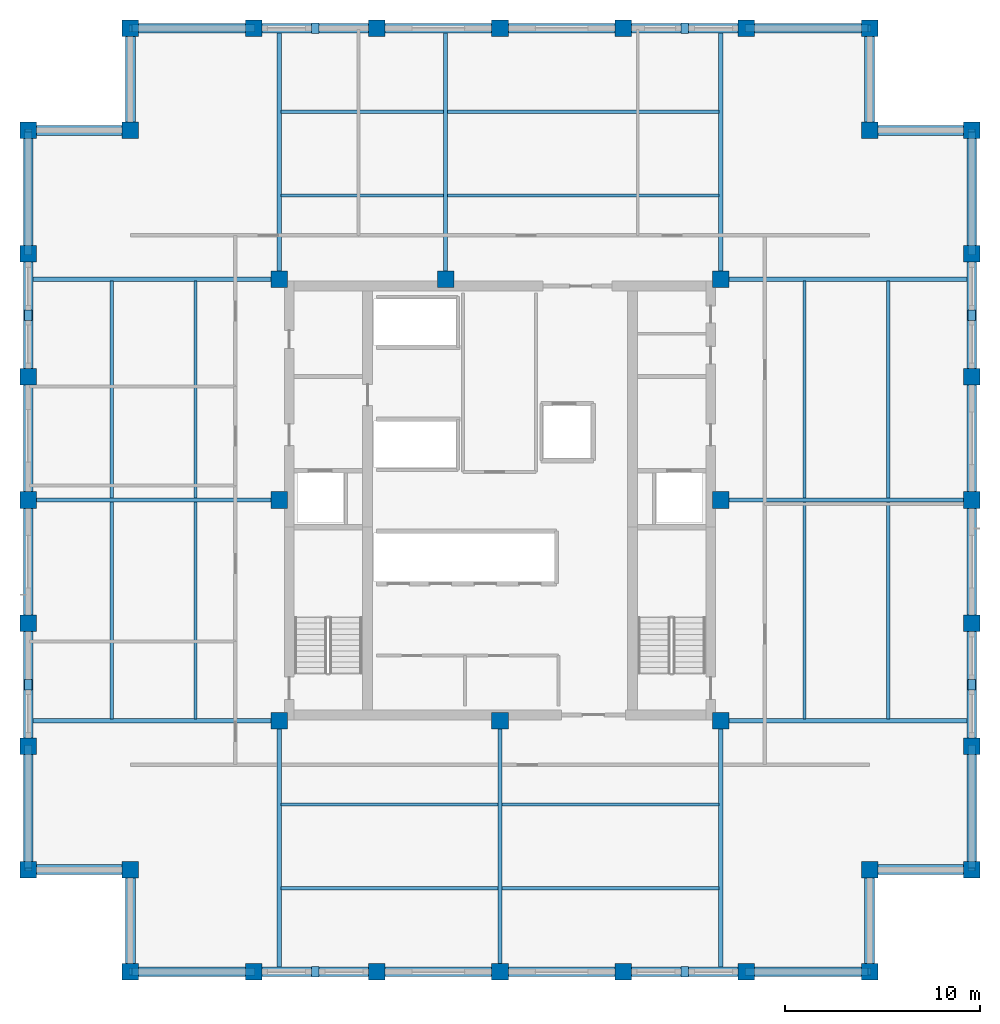
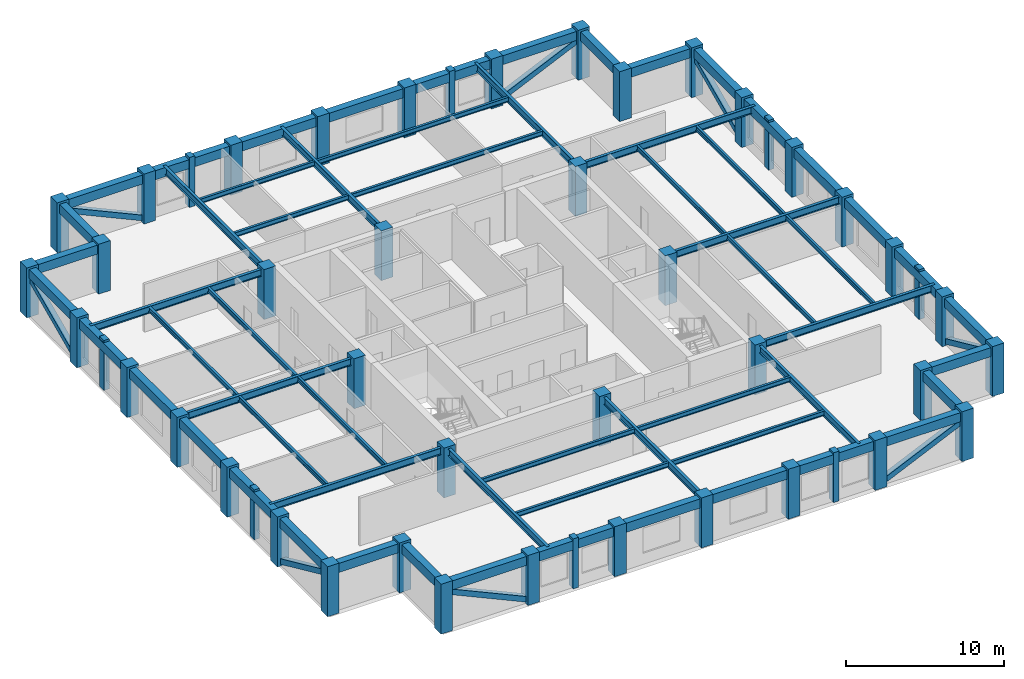
# One storey, part 1 of 9: 60 beams, 40 columns, 16 members.
"""IFC4 building model written with IfcOpenShell, lengths in metres."""

from ifc_helpers import new_model, si_unit, direction, frame, origin, origin_2d, place, context, subcontext, project, spatial, rectangle, hollow_rectangle, i_section, extrude, material, material_profile, profile_set, type_object, element, save


model = new_model("IFC4")

# Units and contexts
model_context = context("Model", 3, precision=1e-05, world=origin(), true_north=direction((0.0, 1.0)))
body_context = subcontext(model_context, "Body", "Model", "MODEL_VIEW")
ifc_project = project(units=[si_unit("LENGTHUNIT", "METRE"), si_unit("AREAUNIT", "SQUARE_METRE"), si_unit("VOLUMEUNIT", "CUBIC_METRE"), si_unit("PLANEANGLEUNIT", "RADIAN"), si_unit("MASSUNIT", "GRAM", prefix="KILO")], contexts=[model_context])

# Site, building, storey
site_placement = place(None, origin())
site = spatial("IfcSite", under=ifc_project, at=site_placement, CompositionType="ELEMENT")
building_placement = place(site_placement, origin())
building = spatial("IfcBuilding", under=site, at=building_placement, Name="Nhamokura Convention Tower", CompositionType="ELEMENT")
storey_placement = place(building_placement, frame((0.0, 0.0, 190.75)))
storey = spatial("IfcBuildingStorey", under=building, at=storey_placement, Name="L46", CompositionType="ELEMENT", Elevation=190.75)

# Columns
ifc_material_1 = material(Name="Concrete C50/60", Category="concrete")
ifc_material_profile_1 = material_profile(ifc_material_1, rectangle(XDim=0.85009765625, YDim=0.85009765625, at=origin_2d()))
ifc_profile_set_1 = profile_set([ifc_material_profile_1], Name="Concrete C50/60")
column_type = type_object("IfcColumnType", Name="TubeColumn_Z3_850", PredefinedType="COLUMN", material=ifc_profile_set_1)
for number, where, z_axis, x_axis, name in (
    (1, (20.64990234375, 20.64990234375, 0.0), (0.0, 0.0, 1.0), (1.0, 0.0, 0.0), "L46 Core Column CC-SW"),
    (2, (32.0, 20.64990234375, 0.0), (0.0, 0.0, 1.0), (1.0, 0.0, 0.0), "L46 Core Column CC-S"),
    (3, (43.35009765625, 20.64990234375, 0.0), (0.0, 0.0, 1.0), (1.0, 0.0, 0.0), "L46 Core Column CC-SE"),
    (4, (43.35009765625, 32.0, 0.0), (0.0, 0.0, 1.0), (1.0, 0.0, 0.0), "L46 Core Column CC-E"),
    (5, (43.35009765625, 43.35009765625, 0.0), (0.0, 0.0, 1.0), (1.0, 0.0, 0.0), "L46 Core Column CC-NE"),
    (6, (29.199951171875, 43.35009765625, 0.0), (0.0, 0.0, 1.0), (1.0, 0.0, 0.0), "L46 Core Column CC-N"),
    (7, (20.64990234375, 43.35009765625, 0.0), (0.0, 0.0, 1.0), (1.0, 0.0, 0.0), "L46 Core Column CC-NW"),
    (8, (20.64990234375, 32.0, 0.0), (0.0, 0.0, 1.0), (1.0, 0.0, 0.0), "L46 Core Column CC-W"),
    (9, (13.0, 7.75, 0.0), (0.0, 0.0, 1.0), (1.0, 0.0, 0.0), "L46 Perimeter Tube Column SW1"),
    (10, (13.0, 13.0, 0.0), (0.0, 0.0, 1.0), (1.0, 0.0, 0.0), "L46 Perimeter Tube Column SW0"),
    (11, (7.75, 13.0, 0.0), (0.0, 0.0, 1.0), (1.0, 0.0, 0.0), "L46 Perimeter Tube Column SW2"),
    (12, (51.0, 7.75, 0.0), (0.0, 0.0, 1.0), (1.0, 0.0, 0.0), "L46 Perimeter Tube Column SE1"),
    (13, (51.0, 13.0, 0.0), (0.0, 0.0, 1.0), (1.0, 0.0, 0.0), "L46 Perimeter Tube Column SE0"),
    (14, (56.25, 13.0, 0.0), (0.0, 0.0, 1.0), (1.0, 0.0, 0.0), "L46 Perimeter Tube Column SE2"),
    (15, (56.25, 51.0, 0.0), (0.0, 0.0, 1.0), (1.0, 0.0, 0.0), "L46 Perimeter Tube Column NE1"),
    (16, (51.0, 51.0, 0.0), (0.0, 0.0, 1.0), (1.0, 0.0, 0.0), "L46 Perimeter Tube Column NE0"),
    (17, (51.0, 56.25, 0.0), (0.0, 0.0, 1.0), (1.0, 0.0, 0.0), "L46 Perimeter Tube Column NE2"),
    (18, (13.0, 56.25, 0.0), (0.0, 0.0, 1.0), (1.0, 0.0, 0.0), "L46 Perimeter Tube Column NW1"),
    (19, (13.0, 51.0, 0.0), (0.0, 0.0, 1.0), (1.0, 0.0, 0.0), "L46 Perimeter Tube Column NW0"),
    (20, (7.75, 51.0, 0.0), (0.0, 0.0, 1.0), (1.0, 0.0, 0.0), "L46 Perimeter Tube Column NW2"),
    (21, (19.333251953125, 7.75, 0.0), (0.0, 0.0, 1.0), (1.0, 0.0, 0.0), "L46 Perimeter Tube Column S1"),
    (22, (19.333251953125, 56.25, 0.0), (0.0, 0.0, 1.0), (1.0, 0.0, 0.0), "L46 Perimeter Tube Column N1"),
    (23, (7.75, 19.333251953125, 0.0), (0.0, 0.0, 1.0), (1.0, 0.0, 0.0), "L46 Perimeter Tube Column W1"),
    (24, (56.25, 19.333251953125, 0.0), (0.0, 0.0, 1.0), (1.0, 0.0, 0.0), "L46 Perimeter Tube Column E1"),
    (25, (25.666748046875, 7.75, 0.0), (0.0, 0.0, 1.0), (1.0, 0.0, 0.0), "L46 Perimeter Tube Column S2"),
    (26, (25.666748046875, 56.25, 0.0), (0.0, 0.0, 1.0), (1.0, 0.0, 0.0), "L46 Perimeter Tube Column N2"),
    (27, (7.75, 25.666748046875, 0.0), (0.0, 0.0, 1.0), (1.0, 0.0, 0.0), "L46 Perimeter Tube Column W2"),
    (28, (56.25, 25.666748046875, 0.0), (0.0, 0.0, 1.0), (1.0, 0.0, 0.0), "L46 Perimeter Tube Column E2"),
    (29, (32.0, 7.75, 0.0), (0.0, 0.0, 1.0), (1.0, 0.0, 0.0), "L46 Perimeter Tube Column S3"),
    (30, (32.0, 56.25, 0.0), (0.0, 0.0, 1.0), (1.0, 0.0, 0.0), "L46 Perimeter Tube Column N3"),
    (31, (7.75, 32.0, 0.0), (0.0, 0.0, 1.0), (1.0, 0.0, 0.0), "L46 Perimeter Tube Column W3"),
    (32, (56.25, 32.0, 0.0), (0.0, 0.0, 1.0), (1.0, 0.0, 0.0), "L46 Perimeter Tube Column E3"),
    (33, (38.333251953125, 7.75, 0.0), (0.0, 0.0, 1.0), (1.0, 0.0, 0.0), "L46 Perimeter Tube Column S4"),
    (34, (38.333251953125, 56.25, 0.0), (0.0, 0.0, 1.0), (1.0, 0.0, 0.0), "L46 Perimeter Tube Column N4"),
    (35, (7.75, 38.333251953125, 0.0), (0.0, 0.0, 1.0), (1.0, 0.0, 0.0), "L46 Perimeter Tube Column W4"),
    (36, (56.25, 38.333251953125, 0.0), (0.0, 0.0, 1.0), (1.0, 0.0, 0.0), "L46 Perimeter Tube Column E4"),
    (37, (44.666748046875, 7.75, 0.0), (0.0, 0.0, 1.0), (1.0, 0.0, 0.0), "L46 Perimeter Tube Column S5"),
    (38, (44.666748046875, 56.25, 0.0), (0.0, 0.0, 1.0), (1.0, 0.0, 0.0), "L46 Perimeter Tube Column N5"),
    (39, (7.75, 44.666748046875, 0.0), (0.0, 0.0, 1.0), (1.0, 0.0, 0.0), "L46 Perimeter Tube Column W5"),
    (40, (56.25, 44.666748046875, 0.0), (0.0, 0.0, 1.0), (1.0, 0.0, 0.0), "L46 Perimeter Tube Column E5"),
):
    element("IfcColumn", number, at=place(storey_placement, frame(where, z_axis=z_axis, x_axis=x_axis)), inside=storey, type_object=column_type, Name=name, PredefinedType="COLUMN", context=body_context, shape_type="SweptSolid", body=[
        extrude(rectangle(XDim=0.85009765625, YDim=0.85009765625, at=origin_2d()), origin(), (0.0, 0.0, 1.0), 3.85009765625),
    ])

# Members
ifc_material_2 = material(Name="Bronze-pigmented precast concrete C45/55", Category="concrete")
ifc_material_profile_2 = material_profile(ifc_material_2, rectangle(XDim=0.39990234375, YDim=0.550048828125, at=origin_2d()))
ifc_profile_set_2 = profile_set([ifc_material_profile_2], Name="Bronze-pigmented precast concrete C45/55")
member_type_1 = type_object("IfcMemberType", Name="BronzePilaster_550", PredefinedType="USERDEFINED", material=ifc_profile_set_2)
for number, where, z_axis, x_axis, name in (
    (41, (22.5, 7.75, 0.0), (0.0, 0.0, 1.0), (1.0, 0.0, 0.0), "L46 Engaged Frame Pilaster SOUTH 1"),
    (42, (41.5, 7.75, 0.0), (0.0, 0.0, 1.0), (1.0, 0.0, 0.0), "L46 Engaged Frame Pilaster SOUTH 4"),
    (43, (22.5, 56.25, 0.0), (0.0, 0.0, 1.0), (1.0, 0.0, 0.0), "L46 Engaged Frame Pilaster NORTH 1"),
    (44, (41.5, 56.25, 0.0), (0.0, 0.0, 1.0), (1.0, 0.0, 0.0), "L46 Engaged Frame Pilaster NORTH 4"),
    (45, (7.75, 22.5, 0.0), (0.0, 0.0, 1.0), (1.0, 0.0, 0.0), "L46 Engaged Frame Pilaster WEST 1"),
    (46, (7.75, 41.5, 0.0), (0.0, 0.0, 1.0), (1.0, 0.0, 0.0), "L46 Engaged Frame Pilaster WEST 4"),
    (47, (56.25, 22.5, 0.0), (0.0, 0.0, 1.0), (1.0, 0.0, 0.0), "L46 Engaged Frame Pilaster EAST 1"),
    (48, (56.25, 41.5, 0.0), (0.0, 0.0, 1.0), (1.0, 0.0, 0.0), "L46 Engaged Frame Pilaster EAST 4"),
):
    element("IfcMember", number, at=place(storey_placement, frame(where, z_axis=z_axis, x_axis=x_axis)), inside=storey, type_object=member_type_1, Name=name, ObjectType="PILASTER_TRIM", PredefinedType="USERDEFINED", context=body_context, shape_type="SweptSolid", body=[
        extrude(rectangle(XDim=0.39990234375, YDim=0.550048828125, at=origin_2d()), origin(), (0.0, 0.0, 1.0), 3.85009765625),
    ])

# Beams
ifc_material_3 = material(Name="Steel ASTM A992 Gr 50", Category="steel")
ifc_material_profile_3 = material_profile(ifc_material_3, i_section(OverallWidth=0.172119140625, OverallDepth=0.35791015625, WebThickness=0.0078125, FlangeThickness=0.01318359375, at=origin_2d()))
ifc_profile_set_3 = profile_set([ifc_material_profile_3], Name="Steel ASTM A992 Gr 50")
beam_type_1 = type_object("IfcBeamType", Name="FloorJoist_W360X57", PredefinedType="JOIST", material=ifc_profile_set_3)
for number, where, z_axis, x_axis, name in (
    (49, (20.75341796875, 12.050048828125, 3.506103515625), (1.0, 0.0, 0.0), (0.0, 1.0, 0.0), "L46 Composite Floor Joist S1A"),
    (50, (32.103515625, 12.050048828125, 3.506103515625), (1.0, 0.0, 0.0), (0.0, 1.0, 0.0), "L46 Composite Floor Joist S1B"),
    (51, (20.75341796875, 16.35009765625, 3.506103515625), (1.0, 0.0, 0.0), (0.0, 1.0, 0.0), "L46 Composite Floor Joist S2A"),
    (52, (32.103515625, 16.35009765625, 3.506103515625), (1.0, 0.0, 0.0), (0.0, 1.0, 0.0), "L46 Composite Floor Joist S2B"),
):
    element("IfcBeam", number, at=place(storey_placement, frame(where, z_axis=z_axis, x_axis=x_axis)), inside=storey, type_object=beam_type_1, Name=name, PredefinedType="JOIST", context=body_context, shape_type="SweptSolid", body=[
        extrude(i_section(OverallWidth=0.172119140625, OverallDepth=0.35791015625, WebThickness=0.0078125, FlangeThickness=0.01318359375, at=origin_2d()), origin(), (0.0, 0.0, 1.0), 11.14306640625),
    ])
beam_1_placement = place(storey_placement, frame((20.75341796875, 47.64990234375, 3.506103515625), z_axis=(1.0, 0.0, 0.0), x_axis=(0.0, 1.0, 0.0)))
element("IfcBeam", 53, at=beam_1_placement, inside=storey, type_object=beam_type_1, Name="L46 Composite Floor Joist N1A", PredefinedType="JOIST", context=body_context, shape_type="SweptSolid", body=[
    extrude(i_section(OverallWidth=0.172119140625, OverallDepth=0.35791015625, WebThickness=0.0078125, FlangeThickness=0.01318359375, at=origin_2d()), origin(), (0.0, 0.0, 1.0), 8.343017578125),
])
beam_2_placement = place(storey_placement, frame((29.303466796875, 47.64990234375, 3.506103515625), z_axis=(1.0, 0.0, 0.0), x_axis=(0.0, 1.0, 0.0)))
element("IfcBeam", 54, at=beam_2_placement, inside=storey, type_object=beam_type_1, Name="L46 Composite Floor Joist N1B", PredefinedType="JOIST", context=body_context, shape_type="SweptSolid", body=[
    extrude(i_section(OverallWidth=0.172119140625, OverallDepth=0.35791015625, WebThickness=0.0078125, FlangeThickness=0.01318359375, at=origin_2d()), origin(), (0.0, 0.0, 1.0), 13.943115234375),
])
beam_3_placement = place(storey_placement, frame((20.75341796875, 51.949951171875, 3.506103515625), z_axis=(1.0, 0.0, 0.0), x_axis=(0.0, 1.0, 0.0)))
element("IfcBeam", 55, at=beam_3_placement, inside=storey, type_object=beam_type_1, Name="L46 Composite Floor Joist N2A", PredefinedType="JOIST", context=body_context, shape_type="SweptSolid", body=[
    extrude(i_section(OverallWidth=0.172119140625, OverallDepth=0.35791015625, WebThickness=0.0078125, FlangeThickness=0.01318359375, at=origin_2d()), origin(), (0.0, 0.0, 1.0), 8.343017578125),
])
beam_4_placement = place(storey_placement, frame((29.303466796875, 51.949951171875, 3.506103515625), z_axis=(1.0, 0.0, 0.0), x_axis=(0.0, 1.0, 0.0)))
element("IfcBeam", 56, at=beam_4_placement, inside=storey, type_object=beam_type_1, Name="L46 Composite Floor Joist N2B", PredefinedType="JOIST", context=body_context, shape_type="SweptSolid", body=[
    extrude(i_section(OverallWidth=0.172119140625, OverallDepth=0.35791015625, WebThickness=0.0078125, FlangeThickness=0.01318359375, at=origin_2d()), origin(), (0.0, 0.0, 1.0), 13.943115234375),
])
for number, where, z_axis, x_axis, name in (
    (57, (12.050048828125, 20.75341796875, 3.506103515625), (0.0, 1.0, 0.0), (-1.0, 0.0, 0.0), "L46 Composite Floor Joist W1A"),
    (58, (12.050048828125, 32.103515625, 3.506103515625), (0.0, 1.0, 0.0), (-1.0, 0.0, 0.0), "L46 Composite Floor Joist W1B"),
    (59, (16.35009765625, 20.75341796875, 3.506103515625), (0.0, 1.0, 0.0), (-1.0, 0.0, 0.0), "L46 Composite Floor Joist W2A"),
    (60, (16.35009765625, 32.103515625, 3.506103515625), (0.0, 1.0, 0.0), (-1.0, 0.0, 0.0), "L46 Composite Floor Joist W2B"),
    (61, (47.64990234375, 20.75341796875, 3.506103515625), (0.0, 1.0, 0.0), (-1.0, 0.0, 0.0), "L46 Composite Floor Joist E1A"),
    (62, (47.64990234375, 32.103515625, 3.506103515625), (0.0, 1.0, 0.0), (-1.0, 0.0, 0.0), "L46 Composite Floor Joist E1B"),
    (63, (51.949951171875, 20.75341796875, 3.506103515625), (0.0, 1.0, 0.0), (-1.0, 0.0, 0.0), "L46 Composite Floor Joist E2A"),
    (64, (51.949951171875, 32.103515625, 3.506103515625), (0.0, 1.0, 0.0), (-1.0, 0.0, 0.0), "L46 Composite Floor Joist E2B"),
):
    element("IfcBeam", number, at=place(storey_placement, frame(where, z_axis=z_axis, x_axis=x_axis)), inside=storey, type_object=beam_type_1, Name=name, PredefinedType="JOIST", context=body_context, shape_type="SweptSolid", body=[
        extrude(i_section(OverallWidth=0.172119140625, OverallDepth=0.35791015625, WebThickness=0.0078125, FlangeThickness=0.01318359375, at=origin_2d()), origin(), (0.0, 0.0, 1.0), 11.14306640625),
    ])
ifc_material_4 = material(Name="Steel ASTM A992 Gr 50", Category="steel")
ifc_material_profile_4 = material_profile(ifc_material_4, i_section(OverallWidth=0.2109375, OverallDepth=0.5390625, WebThickness=0.01171875, FlangeThickness=0.018798828125, at=origin_2d()))
ifc_profile_set_4 = profile_set([ifc_material_profile_4], Name="Steel ASTM A992 Gr 50")
beam_type_2 = type_object("IfcBeamType", Name="PrimaryGirder_W530X109", PredefinedType="BEAM", material=ifc_profile_set_4)
for number, where, z_axis, x_axis, name in (
    (65, (20.64990234375, 7.75, 3.41552734375), (0.0, 1.0, 0.0), (-1.0, 0.0, 0.0), "L46 Primary Floor Girder PG-S1"),
    (66, (32.0, 7.75, 3.41552734375), (0.0, 1.0, 0.0), (-1.0, 0.0, 0.0), "L46 Primary Floor Girder PG-S2"),
    (67, (43.35009765625, 7.75, 3.41552734375), (0.0, 1.0, 0.0), (-1.0, 0.0, 0.0), "L46 Primary Floor Girder PG-S3"),
    (68, (20.64990234375, 43.35009765625, 3.41552734375), (0.0, 1.0, 0.0), (-1.0, 0.0, 0.0), "L46 Primary Floor Girder PG-N1"),
    (69, (29.199951171875, 43.35009765625, 3.41552734375), (0.0, 1.0, 0.0), (-1.0, 0.0, 0.0), "L46 Primary Floor Girder PG-N2"),
    (70, (43.35009765625, 43.35009765625, 3.41552734375), (0.0, 1.0, 0.0), (-1.0, 0.0, 0.0), "L46 Primary Floor Girder PG-N3"),
    (71, (7.75, 20.64990234375, 3.41552734375), (1.0, 0.0, 0.0), (0.0, 1.0, 0.0), "L46 Primary Floor Girder PG-W1"),
    (72, (7.75, 32.0, 3.41552734375), (1.0, 0.0, 0.0), (0.0, 1.0, 0.0), "L46 Primary Floor Girder PG-W2"),
    (73, (7.75, 43.35009765625, 3.41552734375), (1.0, 0.0, 0.0), (0.0, 1.0, 0.0), "L46 Primary Floor Girder PG-W3"),
    (74, (43.35009765625, 20.64990234375, 3.41552734375), (1.0, 0.0, 0.0), (0.0, 1.0, 0.0), "L46 Primary Floor Girder PG-E1"),
    (75, (43.35009765625, 32.0, 3.41552734375), (1.0, 0.0, 0.0), (0.0, 1.0, 0.0), "L46 Primary Floor Girder PG-E2"),
    (76, (43.35009765625, 43.35009765625, 3.41552734375), (1.0, 0.0, 0.0), (0.0, 1.0, 0.0), "L46 Primary Floor Girder PG-E3"),
):
    element("IfcBeam", number, at=place(storey_placement, frame(where, z_axis=z_axis, x_axis=x_axis)), inside=storey, type_object=beam_type_2, Name=name, PredefinedType="BEAM", context=body_context, shape_type="SweptSolid", body=[
        extrude(i_section(OverallWidth=0.2109375, OverallDepth=0.5390625, WebThickness=0.01171875, FlangeThickness=0.018798828125, at=origin_2d()), origin(), (0.0, 0.0, 1.0), 12.89990234375),
    ])

# Members
ifc_material_5 = material(Name="Steel ASTM A572 Gr 50", Category="steel")
ifc_material_profile_5 = material_profile(ifc_material_5, hollow_rectangle(XDim=0.39990234375, YDim=0.39990234375, WallThickness=0.02001953125, at=origin_2d()))
ifc_profile_set_5 = profile_set([ifc_material_profile_5], Name="Steel ASTM A572 Gr 50")
member_type_2 = type_object("IfcMemberType", Name="TubeBrace_HSS400", PredefinedType="BRACE", material=ifc_profile_set_5)
for number, where, z_axis, x_axis, name in (
    (77, (19.333251953125, 7.75, 0.14990234375), (-0.910027379678, 0.0, 0.41454814948), (0.0, -1.0, 0.0), "L46 Perimeter Tube Brace SOUTH Bay 0"),
    (78, (44.666748046875, 7.75, 0.14990234375), (0.910027379678, 0.0, 0.41454814948), (0.0, 1.0, 0.0), "L46 Perimeter Tube Brace SOUTH Bay 5"),
    (79, (19.333251953125, 56.25, 0.14990234375), (-0.910027379678, 0.0, 0.41454814948), (0.0, -1.0, 0.0), "L46 Perimeter Tube Brace NORTH Bay 0"),
    (80, (44.666748046875, 56.25, 0.14990234375), (0.910027379678, 0.0, 0.41454814948), (0.0, 1.0, 0.0), "L46 Perimeter Tube Brace NORTH Bay 5"),
    (81, (7.75, 19.333251953125, 0.14990234375), (0.0, -0.910027379678, 0.41454814948), (1.0, 0.0, 0.0), "L46 Perimeter Tube Brace WEST Bay 0"),
    (82, (7.75, 44.666748046875, 0.14990234375), (0.0, 0.910027379678, 0.41454814948), (-1.0, 0.0, 0.0), "L46 Perimeter Tube Brace WEST Bay 5"),
    (83, (56.25, 19.333251953125, 0.14990234375), (0.0, -0.910027379678, 0.41454814948), (1.0, 0.0, 0.0), "L46 Perimeter Tube Brace EAST Bay 0"),
    (84, (56.25, 44.666748046875, 0.14990234375), (0.0, 0.910027379678, 0.41454814948), (-1.0, 0.0, 0.0), "L46 Perimeter Tube Brace EAST Bay 5"),
):
    element("IfcMember", number, at=place(storey_placement, frame(where, z_axis=z_axis, x_axis=x_axis)), inside=storey, type_object=member_type_2, Name=name, PredefinedType="BRACE", context=body_context, shape_type="SweptSolid", body=[
        extrude(hollow_rectangle(XDim=0.39990234375, YDim=0.39990234375, WallThickness=0.02001953125, at=origin_2d()), origin(), (0.0, 0.0, 1.0), 6.95947265625),
    ])

# Beams
ifc_material_6 = material(Name="Concrete C50/60", Category="concrete")
ifc_material_profile_6 = material_profile(ifc_material_6, rectangle(XDim=0.5, YDim=0.699951171875, at=origin_2d()))
ifc_profile_set_6 = profile_set([ifc_material_profile_6], Name="Concrete C50/60")
beam_type_3 = type_object("IfcBeamType", Name="TubeSpandrel_700", PredefinedType="SPANDREL", material=ifc_profile_set_6)
beam_5_placement = place(storey_placement, frame((13.0, 7.75, 3.3349609375), z_axis=(1.0, 0.0, 0.0), x_axis=(0.0, 1.0, 0.0)))
element("IfcBeam", 85, at=beam_5_placement, inside=storey, type_object=beam_type_3, Name="L46 Perimeter Spandrel SOUTH 1", PredefinedType="SPANDREL", context=body_context, shape_type="SweptSolid", body=[
    extrude(rectangle(XDim=0.5, YDim=0.699951171875, at=origin_2d()), origin(), (0.0, 0.0, 1.0), 6.333251953125),
])
beam_6_placement = place(storey_placement, frame((19.333251953125, 7.75, 3.3349609375), z_axis=(1.0, 0.0, 0.0), x_axis=(0.0, 1.0, 0.0)))
element("IfcBeam", 86, at=beam_6_placement, inside=storey, type_object=beam_type_3, Name="L46 Perimeter Spandrel SOUTH 2", PredefinedType="SPANDREL", context=body_context, shape_type="SweptSolid", body=[
    extrude(rectangle(XDim=0.5, YDim=0.699951171875, at=origin_2d()), origin(), (0.0, 0.0, 1.0), 6.33349609375),
])
for number, where, z_axis, x_axis, name in (
    (87, (25.666748046875, 7.75, 3.3349609375), (1.0, 0.0, 0.0), (0.0, 1.0, 0.0), "L46 Perimeter Spandrel SOUTH 3"),
    (88, (32.0, 7.75, 3.3349609375), (1.0, 0.0, 0.0), (0.0, 1.0, 0.0), "L46 Perimeter Spandrel SOUTH 4"),
):
    element("IfcBeam", number, at=place(storey_placement, frame(where, z_axis=z_axis, x_axis=x_axis)), inside=storey, type_object=beam_type_3, Name=name, PredefinedType="SPANDREL", context=body_context, shape_type="SweptSolid", body=[
        extrude(rectangle(XDim=0.5, YDim=0.699951171875, at=origin_2d()), origin(), (0.0, 0.0, 1.0), 6.333251953125),
    ])
beam_7_placement = place(storey_placement, frame((38.333251953125, 7.75, 3.3349609375), z_axis=(1.0, 0.0, 0.0), x_axis=(0.0, 1.0, 0.0)))
element("IfcBeam", 89, at=beam_7_placement, inside=storey, type_object=beam_type_3, Name="L46 Perimeter Spandrel SOUTH 5", PredefinedType="SPANDREL", context=body_context, shape_type="SweptSolid", body=[
    extrude(rectangle(XDim=0.5, YDim=0.699951171875, at=origin_2d()), origin(), (0.0, 0.0, 1.0), 6.33349609375),
])
for number, where, z_axis, x_axis, name in (
    (90, (44.666748046875, 7.75, 3.3349609375), (1.0, 0.0, 0.0), (0.0, 1.0, 0.0), "L46 Perimeter Spandrel SOUTH 6"),
    (91, (13.0, 56.25, 3.3349609375), (1.0, 0.0, 0.0), (0.0, 1.0, 0.0), "L46 Perimeter Spandrel NORTH 1"),
):
    element("IfcBeam", number, at=place(storey_placement, frame(where, z_axis=z_axis, x_axis=x_axis)), inside=storey, type_object=beam_type_3, Name=name, PredefinedType="SPANDREL", context=body_context, shape_type="SweptSolid", body=[
        extrude(rectangle(XDim=0.5, YDim=0.699951171875, at=origin_2d()), origin(), (0.0, 0.0, 1.0), 6.333251953125),
    ])
beam_8_placement = place(storey_placement, frame((19.333251953125, 56.25, 3.3349609375), z_axis=(1.0, 0.0, 0.0), x_axis=(0.0, 1.0, 0.0)))
element("IfcBeam", 92, at=beam_8_placement, inside=storey, type_object=beam_type_3, Name="L46 Perimeter Spandrel NORTH 2", PredefinedType="SPANDREL", context=body_context, shape_type="SweptSolid", body=[
    extrude(rectangle(XDim=0.5, YDim=0.699951171875, at=origin_2d()), origin(), (0.0, 0.0, 1.0), 6.33349609375),
])
for number, where, z_axis, x_axis, name in (
    (93, (25.666748046875, 56.25, 3.3349609375), (1.0, 0.0, 0.0), (0.0, 1.0, 0.0), "L46 Perimeter Spandrel NORTH 3"),
    (94, (32.0, 56.25, 3.3349609375), (1.0, 0.0, 0.0), (0.0, 1.0, 0.0), "L46 Perimeter Spandrel NORTH 4"),
):
    element("IfcBeam", number, at=place(storey_placement, frame(where, z_axis=z_axis, x_axis=x_axis)), inside=storey, type_object=beam_type_3, Name=name, PredefinedType="SPANDREL", context=body_context, shape_type="SweptSolid", body=[
        extrude(rectangle(XDim=0.5, YDim=0.699951171875, at=origin_2d()), origin(), (0.0, 0.0, 1.0), 6.333251953125),
    ])
beam_9_placement = place(storey_placement, frame((38.333251953125, 56.25, 3.3349609375), z_axis=(1.0, 0.0, 0.0), x_axis=(0.0, 1.0, 0.0)))
element("IfcBeam", 95, at=beam_9_placement, inside=storey, type_object=beam_type_3, Name="L46 Perimeter Spandrel NORTH 5", PredefinedType="SPANDREL", context=body_context, shape_type="SweptSolid", body=[
    extrude(rectangle(XDim=0.5, YDim=0.699951171875, at=origin_2d()), origin(), (0.0, 0.0, 1.0), 6.33349609375),
])
for number, where, z_axis, x_axis, name in (
    (96, (44.666748046875, 56.25, 3.3349609375), (1.0, 0.0, 0.0), (0.0, 1.0, 0.0), "L46 Perimeter Spandrel NORTH 6"),
    (97, (7.75, 13.0, 3.3349609375), (0.0, 1.0, 0.0), (-1.0, 0.0, 0.0), "L46 Perimeter Spandrel WEST 1"),
):
    element("IfcBeam", number, at=place(storey_placement, frame(where, z_axis=z_axis, x_axis=x_axis)), inside=storey, type_object=beam_type_3, Name=name, PredefinedType="SPANDREL", context=body_context, shape_type="SweptSolid", body=[
        extrude(rectangle(XDim=0.5, YDim=0.699951171875, at=origin_2d()), origin(), (0.0, 0.0, 1.0), 6.333251953125),
    ])
beam_10_placement = place(storey_placement, frame((7.75, 19.333251953125, 3.3349609375), z_axis=(0.0, 1.0, 0.0), x_axis=(-1.0, 0.0, 0.0)))
element("IfcBeam", 98, at=beam_10_placement, inside=storey, type_object=beam_type_3, Name="L46 Perimeter Spandrel WEST 2", PredefinedType="SPANDREL", context=body_context, shape_type="SweptSolid", body=[
    extrude(rectangle(XDim=0.5, YDim=0.699951171875, at=origin_2d()), origin(), (0.0, 0.0, 1.0), 6.33349609375),
])
for number, where, z_axis, x_axis, name in (
    (99, (7.75, 25.666748046875, 3.3349609375), (0.0, 1.0, 0.0), (-1.0, 0.0, 0.0), "L46 Perimeter Spandrel WEST 3"),
    (100, (7.75, 32.0, 3.3349609375), (0.0, 1.0, 0.0), (-1.0, 0.0, 0.0), "L46 Perimeter Spandrel WEST 4"),
):
    element("IfcBeam", number, at=place(storey_placement, frame(where, z_axis=z_axis, x_axis=x_axis)), inside=storey, type_object=beam_type_3, Name=name, PredefinedType="SPANDREL", context=body_context, shape_type="SweptSolid", body=[
        extrude(rectangle(XDim=0.5, YDim=0.699951171875, at=origin_2d()), origin(), (0.0, 0.0, 1.0), 6.333251953125),
    ])
beam_11_placement = place(storey_placement, frame((7.75, 38.333251953125, 3.3349609375), z_axis=(0.0, 1.0, 0.0), x_axis=(-1.0, 0.0, 0.0)))
element("IfcBeam", 101, at=beam_11_placement, inside=storey, type_object=beam_type_3, Name="L46 Perimeter Spandrel WEST 5", PredefinedType="SPANDREL", context=body_context, shape_type="SweptSolid", body=[
    extrude(rectangle(XDim=0.5, YDim=0.699951171875, at=origin_2d()), origin(), (0.0, 0.0, 1.0), 6.33349609375),
])
for number, where, z_axis, x_axis, name in (
    (102, (7.75, 44.666748046875, 3.3349609375), (0.0, 1.0, 0.0), (-1.0, 0.0, 0.0), "L46 Perimeter Spandrel WEST 6"),
    (103, (56.25, 13.0, 3.3349609375), (0.0, 1.0, 0.0), (-1.0, 0.0, 0.0), "L46 Perimeter Spandrel EAST 1"),
):
    element("IfcBeam", number, at=place(storey_placement, frame(where, z_axis=z_axis, x_axis=x_axis)), inside=storey, type_object=beam_type_3, Name=name, PredefinedType="SPANDREL", context=body_context, shape_type="SweptSolid", body=[
        extrude(rectangle(XDim=0.5, YDim=0.699951171875, at=origin_2d()), origin(), (0.0, 0.0, 1.0), 6.333251953125),
    ])
beam_12_placement = place(storey_placement, frame((56.25, 19.333251953125, 3.3349609375), z_axis=(0.0, 1.0, 0.0), x_axis=(-1.0, 0.0, 0.0)))
element("IfcBeam", 104, at=beam_12_placement, inside=storey, type_object=beam_type_3, Name="L46 Perimeter Spandrel EAST 2", PredefinedType="SPANDREL", context=body_context, shape_type="SweptSolid", body=[
    extrude(rectangle(XDim=0.5, YDim=0.699951171875, at=origin_2d()), origin(), (0.0, 0.0, 1.0), 6.33349609375),
])
for number, where, z_axis, x_axis, name in (
    (105, (56.25, 25.666748046875, 3.3349609375), (0.0, 1.0, 0.0), (-1.0, 0.0, 0.0), "L46 Perimeter Spandrel EAST 3"),
    (106, (56.25, 32.0, 3.3349609375), (0.0, 1.0, 0.0), (-1.0, 0.0, 0.0), "L46 Perimeter Spandrel EAST 4"),
):
    element("IfcBeam", number, at=place(storey_placement, frame(where, z_axis=z_axis, x_axis=x_axis)), inside=storey, type_object=beam_type_3, Name=name, PredefinedType="SPANDREL", context=body_context, shape_type="SweptSolid", body=[
        extrude(rectangle(XDim=0.5, YDim=0.699951171875, at=origin_2d()), origin(), (0.0, 0.0, 1.0), 6.333251953125),
    ])
beam_13_placement = place(storey_placement, frame((56.25, 38.333251953125, 3.3349609375), z_axis=(0.0, 1.0, 0.0), x_axis=(-1.0, 0.0, 0.0)))
element("IfcBeam", 107, at=beam_13_placement, inside=storey, type_object=beam_type_3, Name="L46 Perimeter Spandrel EAST 5", PredefinedType="SPANDREL", context=body_context, shape_type="SweptSolid", body=[
    extrude(rectangle(XDim=0.5, YDim=0.699951171875, at=origin_2d()), origin(), (0.0, 0.0, 1.0), 6.33349609375),
])
beam_14_placement = place(storey_placement, frame((56.25, 44.666748046875, 3.3349609375), z_axis=(0.0, 1.0, 0.0), x_axis=(-1.0, 0.0, 0.0)))
element("IfcBeam", 108, at=beam_14_placement, inside=storey, type_object=beam_type_3, Name="L46 Perimeter Spandrel EAST 6", PredefinedType="SPANDREL", context=body_context, shape_type="SweptSolid", body=[
    extrude(rectangle(XDim=0.5, YDim=0.699951171875, at=origin_2d()), origin(), (0.0, 0.0, 1.0), 6.333251953125),
])
for number, where, z_axis, x_axis, name in (
    (109, (13.0, 7.75, 3.3349609375), (0.0, 1.0, 0.0), (-1.0, 0.0, 0.0), "L46 Notch Spandrel SW1"),
    (110, (13.0, 13.0, 3.3349609375), (-1.0, 0.0, 0.0), (0.0, -1.0, 0.0), "L46 Notch Spandrel SW2"),
    (111, (51.0, 7.75, 3.3349609375), (0.0, 1.0, 0.0), (-1.0, 0.0, 0.0), "L46 Notch Spandrel SE1"),
    (112, (51.0, 13.0, 3.3349609375), (1.0, 0.0, 0.0), (0.0, 1.0, 0.0), "L46 Notch Spandrel SE2"),
    (113, (56.25, 51.0, 3.3349609375), (-1.0, 0.0, 0.0), (0.0, -1.0, 0.0), "L46 Notch Spandrel NE1"),
    (114, (51.0, 51.0, 3.3349609375), (0.0, 1.0, 0.0), (-1.0, 0.0, 0.0), "L46 Notch Spandrel NE2"),
    (115, (13.0, 56.25, 3.3349609375), (0.0, -1.0, 0.0), (1.0, 0.0, 0.0), "L46 Notch Spandrel NW1"),
    (116, (13.0, 51.0, 3.3349609375), (-1.0, 0.0, 0.0), (0.0, -1.0, 0.0), "L46 Notch Spandrel NW2"),
):
    element("IfcBeam", number, at=place(storey_placement, frame(where, z_axis=z_axis, x_axis=x_axis)), inside=storey, type_object=beam_type_3, Name=name, PredefinedType="SPANDREL", context=body_context, shape_type="SweptSolid", body=[
        extrude(rectangle(XDim=0.5, YDim=0.699951171875, at=origin_2d()), origin(), (0.0, 0.0, 1.0), 5.25),
    ])

save(model, "model.ifc")
